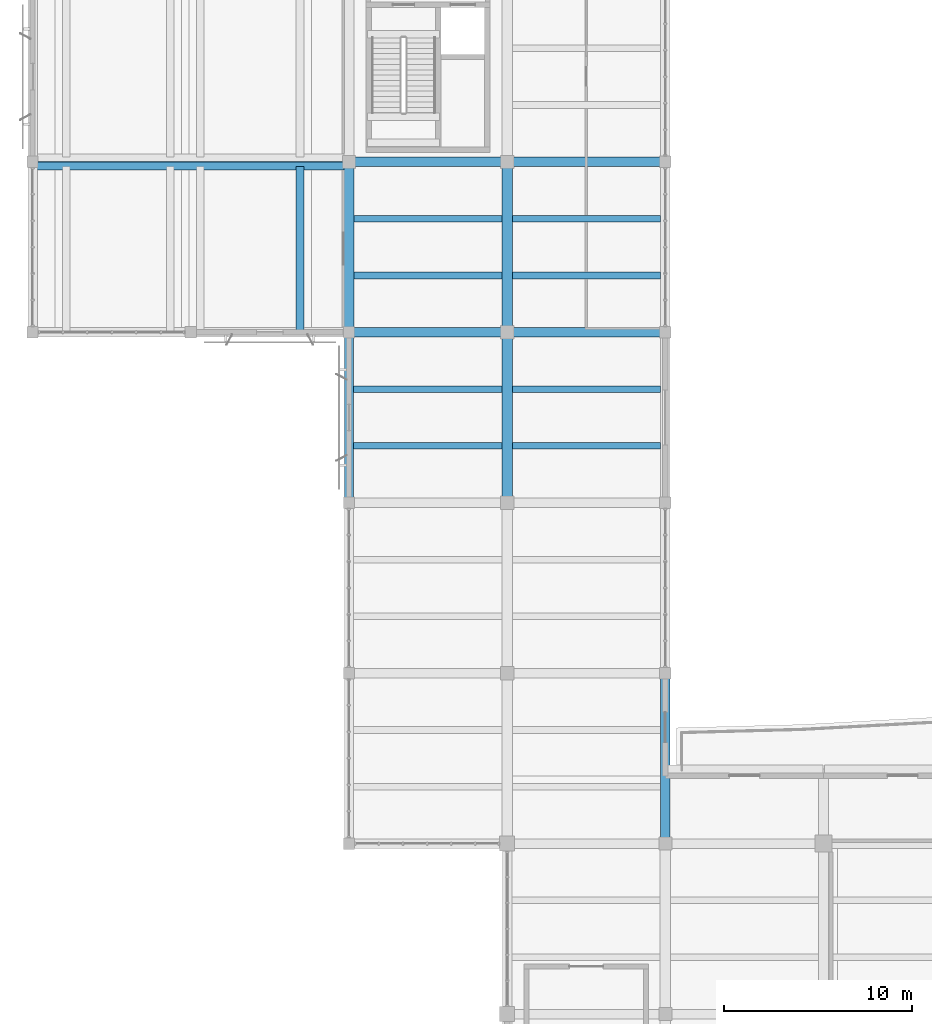
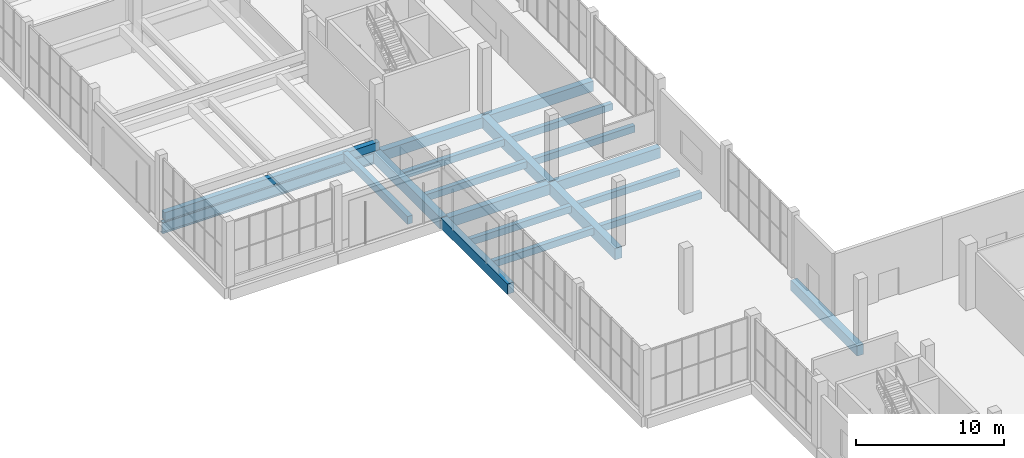
# One storey, part 22 of 132: 20 beams.
"""IFC4 building model written with IfcOpenShell, lengths in metres."""

from ifc_helpers import new_model, si_unit, direction, frame, origin, origin_2d, place, context, subcontext, project, spatial, rectangle, i_section, extrude, material, material_profile, profile_set, type_object, element, save


model = new_model("IFC4")

# Units and contexts
model_context = context("Model", 3, precision=1e-05, world=origin(), true_north=direction((0.0, 1.0)))
body_context = subcontext(model_context, "Body", "Model", "MODEL_VIEW")
ifc_project = project(units=[si_unit("LENGTHUNIT", "METRE"), si_unit("AREAUNIT", "SQUARE_METRE"), si_unit("VOLUMEUNIT", "CUBIC_METRE"), si_unit("PLANEANGLEUNIT", "RADIAN"), si_unit("MASSUNIT", "GRAM", prefix="KILO")], contexts=[model_context])

# Site, building, storey
site_placement = place(None, origin())
site = spatial("IfcSite", under=ifc_project, at=site_placement, CompositionType="ELEMENT")
building_placement = place(site_placement, origin())
building = spatial("IfcBuilding", under=site, at=building_placement, Name="Khurvash Pelagic Aquarium", CompositionType="ELEMENT")
storey_placement = place(building_placement, frame((0.0, 0.0, 5.39990234375)))
storey = spatial("IfcBuildingStorey", under=building, at=storey_placement, Name="L01", CompositionType="ELEMENT", Elevation=5.39990234375)

# Beams
ifc_material_1 = material(Name="Concrete C40/50", Category="concrete")
ifc_material_profile_1 = material_profile(ifc_material_1, rectangle(XDim=0.550048828125, YDim=0.949951171875, at=origin_2d()), Name="RC550X950")
ifc_profile_set_1 = profile_set([ifc_material_profile_1], Name="Concrete C40/50")
beam_type_1 = type_object("IfcBeamType", Name="BM-02", PredefinedType="BEAM", material=ifc_profile_set_1)
beam_1_placement = place(storey_placement, frame((16.800048828125, 56.93994140625, -0.784912109375), z_axis=(0.0, 1.0, 0.0), x_axis=(-1.0, 0.0, 0.0)))
element("IfcBeam", 1, at=beam_1_placement, inside=storey, type_object=beam_type_1, Name="L01 Primary Girder BM-02 00355", PredefinedType="BEAM", context=body_context, shape_type="SweptSolid", body=[
    extrude(rectangle(XDim=0.550048828125, YDim=0.949951171875, at=origin_2d()), origin(), (0.0, 0.0, 1.0), 8.969970703125),
])
beam_2_placement = place(storey_placement, frame((25.199951171875, 47.889892578125, -0.784912109375), z_axis=(0.0, 1.0, 0.0), x_axis=(-1.0, 0.0, 0.0)))
element("IfcBeam", 2, at=beam_2_placement, inside=storey, type_object=beam_type_1, Name="L01 Primary Girder BM-02 00364", PredefinedType="BEAM", context=body_context, shape_type="SweptSolid", body=[
    extrude(rectangle(XDim=0.550048828125, YDim=0.949951171875, at=origin_2d()), origin(), (0.0, 0.0, 1.0), 8.97021484375),
])
beam_3_placement = place(storey_placement, frame((25.199951171875, 56.93994140625, -0.784912109375), z_axis=(0.0, 1.0, 0.0), x_axis=(-1.0, 0.0, 0.0)))
element("IfcBeam", 3, at=beam_3_placement, inside=storey, type_object=beam_type_1, Name="L01 Primary Girder BM-02 00365", PredefinedType="BEAM", context=body_context, shape_type="SweptSolid", body=[
    extrude(rectangle(XDim=0.550048828125, YDim=0.949951171875, at=origin_2d()), origin(), (0.0, 0.0, 1.0), 8.969970703125),
])
ifc_material_profile_2 = material_profile(ifc_material_1, rectangle(XDim=0.5, YDim=0.85009765625, at=origin_2d()), Name="RC500X850")
ifc_profile_set_2 = profile_set([ifc_material_profile_2], Name="Concrete C40/50")
beam_type_2 = type_object("IfcBeamType", Name="BM-03", PredefinedType="BEAM", material=ifc_profile_set_2)
beam_4_placement = place(storey_placement, frame((16.840087890625, 56.89990234375, -0.744873046875), z_axis=(1.0, 0.0, 0.0), x_axis=(0.0, 1.0, 0.0)))
element("IfcBeam", 4, at=beam_4_placement, inside=storey, type_object=beam_type_2, Name="L01 Primary Girder BM-03 00295", PredefinedType="BEAM", context=body_context, shape_type="SweptSolid", body=[
    extrude(rectangle(XDim=0.5, YDim=0.85009765625, at=origin_2d()), origin(), (0.0, 0.0, 1.0), 8.31982421875),
])
beam_5_placement = place(storey_placement, frame((25.239990234375, 56.89990234375, -0.744873046875), z_axis=(1.0, 0.0, 0.0), x_axis=(0.0, 1.0, 0.0)))
element("IfcBeam", 5, at=beam_5_placement, inside=storey, type_object=beam_type_2, Name="L01 Primary Girder BM-03 00296", PredefinedType="BEAM", context=body_context, shape_type="SweptSolid", body=[
    extrude(rectangle(XDim=0.5, YDim=0.85009765625, at=origin_2d()), origin(), (0.0, 0.0, 1.0), 8.320068359375),
])
beam_6_placement = place(storey_placement, frame((16.840087890625, 65.949951171875, -0.744873046875), z_axis=(1.0, 0.0, 0.0), x_axis=(0.0, 1.0, 0.0)))
element("IfcBeam", 6, at=beam_6_placement, inside=storey, type_object=beam_type_2, Name="L01 Primary Girder BM-03 00298", PredefinedType="BEAM", context=body_context, shape_type="SweptSolid", body=[
    extrude(rectangle(XDim=0.5, YDim=0.85009765625, at=origin_2d()), origin(), (0.0, 0.0, 1.0), 8.31982421875),
])
beam_7_placement = place(storey_placement, frame((25.239990234375, 65.949951171875, -0.744873046875), z_axis=(1.0, 0.0, 0.0), x_axis=(0.0, 1.0, 0.0)))
element("IfcBeam", 7, at=beam_7_placement, inside=storey, type_object=beam_type_2, Name="L01 Primary Girder BM-03 00299", PredefinedType="BEAM", context=body_context, shape_type="SweptSolid", body=[
    extrude(rectangle(XDim=0.5, YDim=0.85009765625, at=origin_2d()), origin(), (0.0, 0.0, 1.0), 8.320068359375),
])
ifc_material_2 = material(Name="Concrete C35/45", Category="concrete")
ifc_material_profile_3 = material_profile(ifc_material_2, rectangle(XDim=0.39990234375, YDim=0.64990234375, at=origin_2d()), Name="RC400X650")
ifc_profile_set_3 = profile_set([ifc_material_profile_3], Name="Concrete C35/45")
beam_type_3 = type_object("IfcBeamType", Name="BM-05", PredefinedType="BEAM", material=ifc_profile_set_3)
beam_8_placement = place(storey_placement, frame((0.0400390625, 65.72998046875, 0.3251953125), z_axis=(1.0, 0.0, 0.0), x_axis=(0.0, 1.0, 0.0)))
element("IfcBeam", 8, at=beam_8_placement, inside=storey, type_object=beam_type_3, Name="L01 Auditorium Seating Tier Girder BM-05 1", PredefinedType="BEAM", context=body_context, shape_type="SweptSolid", body=[
    extrude(rectangle(XDim=0.39990234375, YDim=0.64990234375, at=origin_2d()), origin(), (0.0, 0.0, 1.0), 16.719970703125),
])
beam_9_placement = place(storey_placement, frame((14.199951171875, 56.949951171875, 0.3251953125), z_axis=(0.0, 1.0, 0.0), x_axis=(-1.0, 0.0, 0.0)))
element("IfcBeam", 9, at=beam_9_placement, inside=storey, type_object=beam_type_3, Name="L01 Auditorium Tier Stringer Beam BM-05", PredefinedType="BEAM", context=body_context, shape_type="SweptSolid", body=[
    extrude(rectangle(XDim=0.39990234375, YDim=0.64990234375, at=origin_2d()), origin(), (0.0, 0.0, 1.0), 8.75),
])
ifc_material_3 = material(Name="Steel ASTM A992 Grade 50", Category="steel")
ifc_material_profile_4 = material_profile(ifc_material_3, i_section(OverallWidth=0.31005859375, OverallDepth=0.931884765625, WebThickness=0.02099609375, FlangeThickness=0.034423828125, at=origin_2d()), Name="W36X210")
ifc_profile_set_4 = profile_set([ifc_material_profile_4], Name="Steel ASTM A992 Grade 50")
beam_type_4 = type_object("IfcBeamType", Name="BM-07", PredefinedType="BEAM", material=ifc_profile_set_4)
beam_10_placement = place(storey_placement, frame((0.0400390625, 65.949951171875, -0.785888671875), z_axis=(1.0, 0.0, 0.0), x_axis=(0.0, 1.0, 0.0)))
element("IfcBeam", 10, at=beam_10_placement, inside=storey, type_object=beam_type_4, Name="L01 Primary Girder BM-07 00297", PredefinedType="BEAM", context=body_context, shape_type="SweptSolid", body=[
    extrude(i_section(OverallWidth=0.31005859375, OverallDepth=0.931884765625, WebThickness=0.02099609375, FlangeThickness=0.034423828125, at=origin_2d()), origin(), (0.0, 0.0, 1.0), 16.719970703125),
])
ifc_material_profile_5 = material_profile(ifc_material_2, rectangle(XDim=0.35009765625, YDim=0.550048828125, at=origin_2d()), Name="RC350X550")
ifc_profile_set_5 = profile_set([ifc_material_profile_5], Name="Concrete C35/45")
beam_type_5 = type_object("IfcBeamType", Name="JS-01", PredefinedType="JOIST", material=ifc_profile_set_5)
for number, where, z_axis, x_axis, name in (
    (11, (17.050048828125, 50.866943359375, -0.5849609375), (1.0, 0.0, 0.0), (0.0, 1.0, 0.0), "L01 Floor Joist JS-01 00450"),
    (12, (17.050048828125, 53.883056640625, -0.5849609375), (1.0, 0.0, 0.0), (0.0, 1.0, 0.0), "L01 Floor Joist JS-01 00451"),
):
    element("IfcBeam", number, at=place(storey_placement, frame(where, z_axis=z_axis, x_axis=x_axis)), inside=storey, type_object=beam_type_5, Name=name, PredefinedType="JOIST", context=body_context, shape_type="SweptSolid", body=[
        extrude(rectangle(XDim=0.35009765625, YDim=0.550048828125, at=origin_2d()), origin(), (0.0, 0.0, 1.0), 7.875),
    ])
for number, where, z_axis, x_axis, name in (
    (13, (17.074951171875, 59.9169921875, -0.5849609375), (1.0, 0.0, 0.0), (0.0, 1.0, 0.0), "L01 Floor Joist JS-01 00452"),
    (14, (17.074951171875, 62.93310546875, -0.5849609375), (1.0, 0.0, 0.0), (0.0, 1.0, 0.0), "L01 Floor Joist JS-01 00453"),
):
    element("IfcBeam", number, at=place(storey_placement, frame(where, z_axis=z_axis, x_axis=x_axis)), inside=storey, type_object=beam_type_5, Name=name, PredefinedType="JOIST", context=body_context, shape_type="SweptSolid", body=[
        extrude(rectangle(XDim=0.35009765625, YDim=0.550048828125, at=origin_2d()), origin(), (0.0, 0.0, 1.0), 7.85009765625),
    ])
for number, where, z_axis, x_axis, name in (
    (15, (25.47509765625, 50.866943359375, -0.5849609375), (1.0, 0.0, 0.0), (0.0, 1.0, 0.0), "L01 Floor Joist JS-01 00466"),
    (16, (25.47509765625, 53.883056640625, -0.5849609375), (1.0, 0.0, 0.0), (0.0, 1.0, 0.0), "L01 Floor Joist JS-01 00467"),
    (17, (25.47509765625, 59.9169921875, -0.5849609375), (1.0, 0.0, 0.0), (0.0, 1.0, 0.0), "L01 Floor Joist JS-01 00468"),
    (18, (25.47509765625, 62.93310546875, -0.5849609375), (1.0, 0.0, 0.0), (0.0, 1.0, 0.0), "L01 Floor Joist JS-01 00469"),
):
    element("IfcBeam", number, at=place(storey_placement, frame(where, z_axis=z_axis, x_axis=x_axis)), inside=storey, type_object=beam_type_5, Name=name, PredefinedType="JOIST", context=body_context, shape_type="SweptSolid", body=[
        extrude(rectangle(XDim=0.35009765625, YDim=0.550048828125, at=origin_2d()), origin(), (0.0, 0.0, 1.0), 7.875),
    ])
ifc_material_profile_6 = material_profile(ifc_material_1, rectangle(XDim=0.5, YDim=0.85009765625, at=origin_2d()), Name="RC500X850")
ifc_profile_set_6 = profile_set([ifc_material_profile_6], Name="Concrete C40/50")
beam_type_6 = type_object("IfcBeamType", Name="SEB-03", PredefinedType="SPANDREL", material=ifc_profile_set_6)
beam_11_placement = place(storey_placement, frame((16.800048828125, 47.889892578125, -0.73486328125), z_axis=(0.0, 1.0, 0.0), x_axis=(-1.0, 0.0, 0.0)))
element("IfcBeam", 19, at=beam_11_placement, inside=storey, type_object=beam_type_6, Name="L01 Primary Girder SEB-03 00354", PredefinedType="SPANDREL", context=body_context, shape_type="SweptSolid", body=[
    extrude(rectangle(XDim=0.5, YDim=0.85009765625, at=origin_2d()), origin(), (0.0, 0.0, 1.0), 8.97021484375),
])
beam_12_placement = place(storey_placement, frame((33.60009765625, 29.7900390625, -0.73486328125), z_axis=(0.0, 1.0, 0.0), x_axis=(-1.0, 0.0, 0.0)))
element("IfcBeam", 20, at=beam_12_placement, inside=storey, type_object=beam_type_6, Name="L01 Primary Girder SEB-03 00372", PredefinedType="SPANDREL", context=body_context, shape_type="SweptSolid", body=[
    extrude(rectangle(XDim=0.5, YDim=0.85009765625, at=origin_2d()), origin(), (0.0, 0.0, 1.0), 8.969970703125),
])

save(model, "model.ifc")
